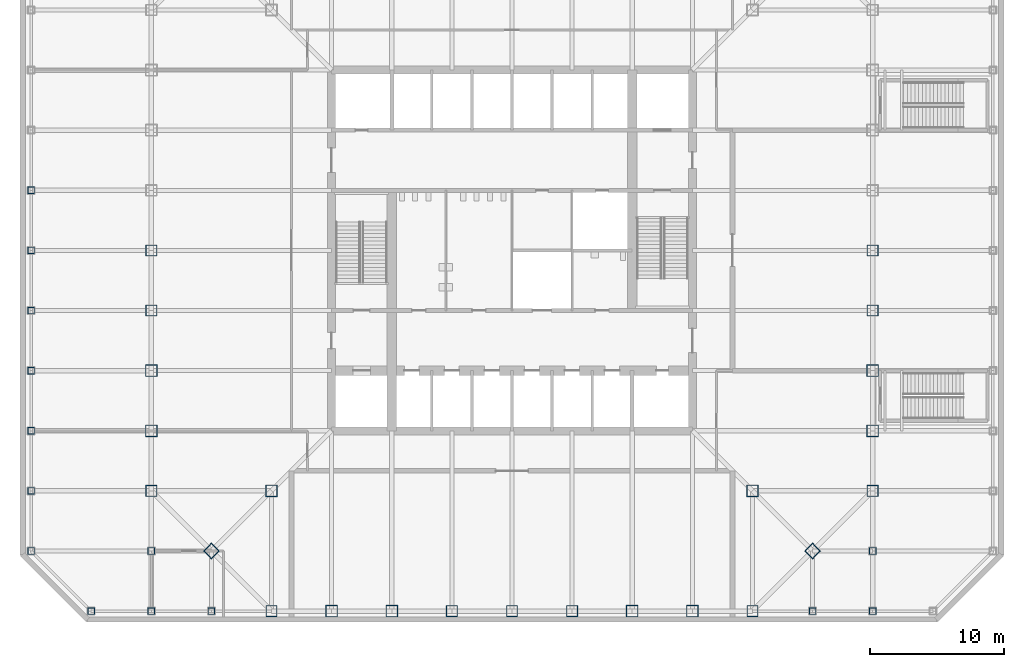
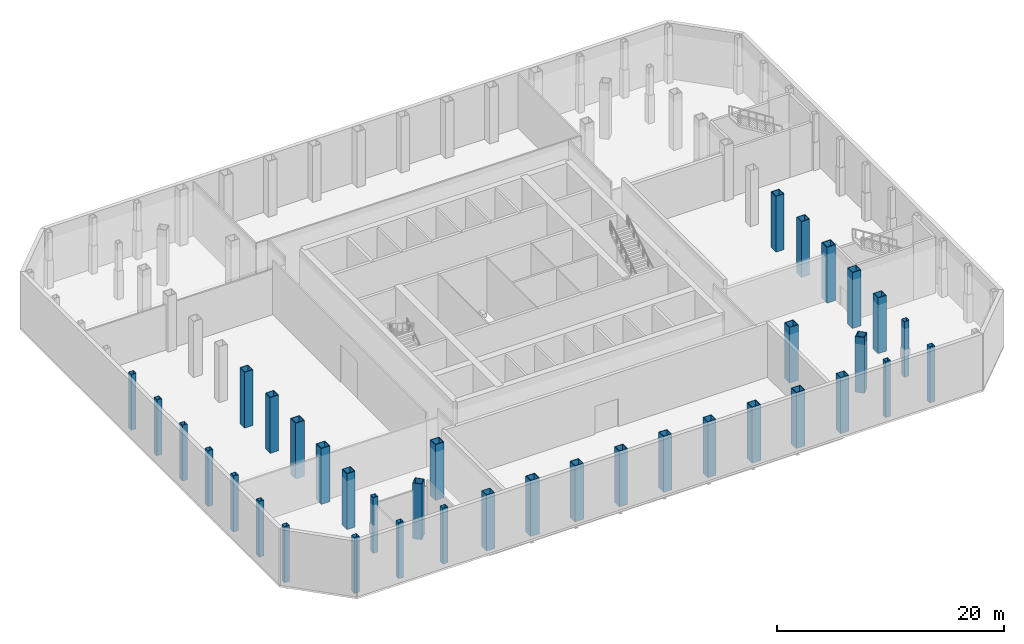
# One storey, part 1 of 12: 37 columns.
"""IFC4 building model written with IfcOpenShell, lengths in metres."""

from ifc_helpers import new_model, si_unit, direction, frame, origin, origin_2d, place, context, subcontext, project, spatial, hollow_rectangle, extrude, material, material_profile, profile_set, type_object, element, save


model = new_model("IFC4")

# Units and contexts
model_context = context("Model", 3, precision=1e-05, world=origin(), true_north=direction((0.0, 1.0)))
body_context = subcontext(model_context, "Body", "Model", "MODEL_VIEW")
ifc_project = project(units=[si_unit("LENGTHUNIT", "METRE"), si_unit("AREAUNIT", "SQUARE_METRE"), si_unit("VOLUMEUNIT", "CUBIC_METRE"), si_unit("PLANEANGLEUNIT", "RADIAN"), si_unit("MASSUNIT", "GRAM", prefix="KILO")], contexts=[model_context])

# Site, building, storey
site_placement = place(None, origin())
site = spatial("IfcSite", under=ifc_project, at=site_placement, CompositionType="ELEMENT")
building_placement = place(site_placement, origin())
building = spatial("IfcBuilding", under=site, at=building_placement, Name="Corais Broadcast Tower", CompositionType="ELEMENT")
storey_placement = place(building_placement, frame((0.0, 0.0, 6.0)))
storey = spatial("IfcBuildingStorey", under=building, at=storey_placement, Name="L01", CompositionType="ELEMENT", Elevation=6.0)

# Columns
ifc_material_1 = material(Name="Steel ASTM A572 Grade 50", Category="steel")
ifc_material_profile_1 = material_profile(ifc_material_1, hollow_rectangle(XDim=0.5, YDim=0.5, WallThickness=0.02197265625, at=origin_2d()), Name="BOX 500x500x22")
ifc_profile_set_1 = profile_set([ifc_material_profile_1], Name="Steel ASTM A572 Grade 50")
column_type_1 = type_object("IfcColumnType", Name="Column BOX 500x500x22", PredefinedType="COLUMN", material=ifc_profile_set_1)
for number, where, z_axis, x_axis, name in (
    (1, (-9.0, 4.5, 0.0), (0.0, 0.0, 1.0), (1.0, 0.0, 0.0), "C9 B/1"),
    (2, (-9.0, 9.0, 0.0), (0.0, 0.0, 1.0), (1.0, 0.0, 0.0), "C9 C/1"),
    (3, (-9.0, 13.5, 0.0), (0.0, 0.0, 1.0), (1.0, 0.0, 0.0), "C9 D/1"),
    (4, (-9.0, 18.0, 0.0), (0.0, 0.0, 1.0), (1.0, 0.0, 0.0), "C9 E/1"),
    (5, (-9.0, 22.5, 0.0), (0.0, 0.0, 1.0), (1.0, 0.0, 0.0), "C9 F/1"),
    (6, (-9.0, 27.0, 0.0), (0.0, 0.0, 1.0), (1.0, 0.0, 0.0), "C9 G/1"),
    (7, (-9.0, 31.5, 0.0), (0.0, 0.0, 1.0), (1.0, 0.0, 0.0), "C9 H/1"),
    (8, (-4.5, 0.0, 0.0), (0.0, 0.0, 1.0), (1.0, 0.0, 0.0), "C9 A/2"),
    (9, (0.0, 0.0, 0.0), (0.0, 0.0, 1.0), (1.0, 0.0, 0.0), "C9 A/3"),
    (10, (4.5, 0.0, 0.0), (0.0, 0.0, 1.0), (1.0, 0.0, 0.0), "C9 A/4"),
    (11, (0.0, 4.5, 0.0), (0.0, 0.0, 1.0), (1.0, 0.0, 0.0), "C9 B/3"),
    (12, (54.0, 0.0, 0.0), (0.0, 0.0, 1.0), (1.0, 0.0, 0.0), "C9 A/15"),
    (13, (49.5, 0.0, 0.0), (0.0, 0.0, 1.0), (1.0, 0.0, 0.0), "C9 A/14"),
    (14, (54.0, 4.5, 0.0), (0.0, 0.0, 1.0), (1.0, 0.0, 0.0), "C9 B/15"),
):
    element("IfcColumn", number, at=place(storey_placement, frame(where, z_axis=z_axis, x_axis=x_axis)), inside=storey, type_object=column_type_1, Name=name, PredefinedType="COLUMN", context=body_context, shape_type="SweptSolid", body=[
        extrude(hollow_rectangle(XDim=0.5, YDim=0.5, WallThickness=0.02197265625, at=origin_2d()), origin(), (0.0, 0.0, 1.0), 6.0),
    ])
ifc_material_2 = material(Name="Steel ASTM A572 Grade 50", Category="steel")
ifc_material_profile_2 = material_profile(ifc_material_2, hollow_rectangle(XDim=0.85009765625, YDim=0.85009765625, WallThickness=0.050048828125, at=origin_2d()), Name="BOX 850x850x50")
ifc_profile_set_2 = profile_set([ifc_material_profile_2], Name="Steel ASTM A572 Grade 50")
column_type_2 = type_object("IfcColumnType", Name="Column BOX 850x850x50", PredefinedType="COLUMN", material=ifc_profile_set_2)
for number, where, z_axis, x_axis, name in (
    (15, (9.0, 0.0, 0.0), (0.0, 0.0, 1.0), (1.0, 0.0, 0.0), "C1 A/5"),
    (16, (22.5, 0.0, 0.0), (0.0, 0.0, 1.0), (1.0, 0.0, 0.0), "C1 A/8"),
    (17, (27.0, 0.0, 0.0), (0.0, 0.0, 1.0), (1.0, 0.0, 0.0), "C1 A/9"),
    (18, (31.5, 0.0, 0.0), (0.0, 0.0, 1.0), (1.0, 0.0, 0.0), "C1 A/10"),
    (19, (45.0, 0.0, 0.0), (0.0, 0.0, 1.0), (1.0, 0.0, 0.0), "C1 A/13"),
    (20, (54.0, 9.0, 0.0), (0.0, 0.0, 1.0), (1.0, 0.0, 0.0), "C1 C/15"),
    (21, (54.0, 22.5, 0.0), (0.0, 0.0, 1.0), (1.0, 0.0, 0.0), "C1 F/15"),
    (22, (54.0, 27.0, 0.0), (0.0, 0.0, 1.0), (1.0, 0.0, 0.0), "C1 G/15"),
    (23, (0.0, 27.0, 0.0), (0.0, 0.0, 1.0), (1.0, 0.0, 0.0), "C1 G/3"),
    (24, (0.0, 22.5, 0.0), (0.0, 0.0, 1.0), (1.0, 0.0, 0.0), "C1 F/3"),
    (25, (0.0, 9.0, 0.0), (0.0, 0.0, 1.0), (1.0, 0.0, 0.0), "C1 C/3"),
    (26, (4.5, 4.5, 0.0), (0.0, 0.0, 1.0), (0.707106781187, 0.707106781187, 0.0), "C1 B/4"),
    (27, (49.5, 4.5, 0.0), (0.0, 0.0, 1.0), (0.707106781187, 0.707106781187, 0.0), "C1 B/14"),
):
    element("IfcColumn", number, at=place(storey_placement, frame(where, z_axis=z_axis, x_axis=x_axis)), inside=storey, type_object=column_type_2, Name=name, PredefinedType="COLUMN", context=body_context, shape_type="SweptSolid", body=[
        extrude(hollow_rectangle(XDim=0.85009765625, YDim=0.85009765625, WallThickness=0.050048828125, at=origin_2d()), origin(), (0.0, 0.0, 1.0), 6.0),
    ])
ifc_material_3 = material(Name="Steel ASTM A572 Grade 50", Category="steel")
ifc_material_profile_3 = material_profile(ifc_material_3, hollow_rectangle(XDim=0.89990234375, YDim=0.89990234375, WallThickness=0.06298828125, at=origin_2d()), Name="BOX 900x900x63")
ifc_profile_set_3 = profile_set([ifc_material_profile_3], Name="Steel ASTM A572 Grade 50")
column_type_3 = type_object("IfcColumnType", Name="Column BOX 900x900x63", PredefinedType="COLUMN", material=ifc_profile_set_3)
for number, where, z_axis, x_axis, name in (
    (28, (13.5, 0.0, 0.0), (0.0, 0.0, 1.0), (1.0, 0.0, 0.0), "C2 A/6"),
    (29, (18.0, 0.0, 0.0), (0.0, 0.0, 1.0), (1.0, 0.0, 0.0), "C2 A/7"),
    (30, (36.0, 0.0, 0.0), (0.0, 0.0, 1.0), (1.0, 0.0, 0.0), "C2 A/11"),
    (31, (40.5, 0.0, 0.0), (0.0, 0.0, 1.0), (1.0, 0.0, 0.0), "C2 A/12"),
    (32, (54.0, 13.5, 0.0), (0.0, 0.0, 1.0), (1.0, 0.0, 0.0), "C2 D/15"),
    (33, (54.0, 18.0, 0.0), (0.0, 0.0, 1.0), (1.0, 0.0, 0.0), "C2 E/15"),
    (34, (0.0, 18.0, 0.0), (0.0, 0.0, 1.0), (1.0, 0.0, 0.0), "C2 E/3"),
    (35, (0.0, 13.5, 0.0), (0.0, 0.0, 1.0), (1.0, 0.0, 0.0), "C2 D/3"),
    (36, (9.0, 9.0, 0.0), (0.0, 0.0, 1.0), (1.0, 0.0, 0.0), "C2 C/5"),
    (37, (45.0, 9.0, 0.0), (0.0, 0.0, 1.0), (1.0, 0.0, 0.0), "C2 C/13"),
):
    element("IfcColumn", number, at=place(storey_placement, frame(where, z_axis=z_axis, x_axis=x_axis)), inside=storey, type_object=column_type_3, Name=name, PredefinedType="COLUMN", context=body_context, shape_type="SweptSolid", body=[
        extrude(hollow_rectangle(XDim=0.89990234375, YDim=0.89990234375, WallThickness=0.06298828125, at=origin_2d()), origin(), (0.0, 0.0, 1.0), 6.0),
    ])

save(model, "model.ifc")
